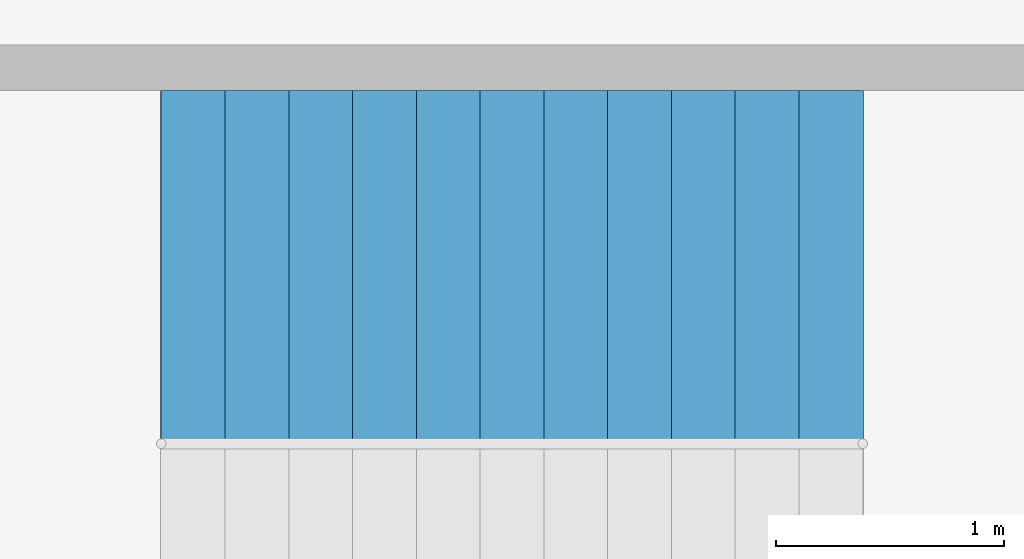
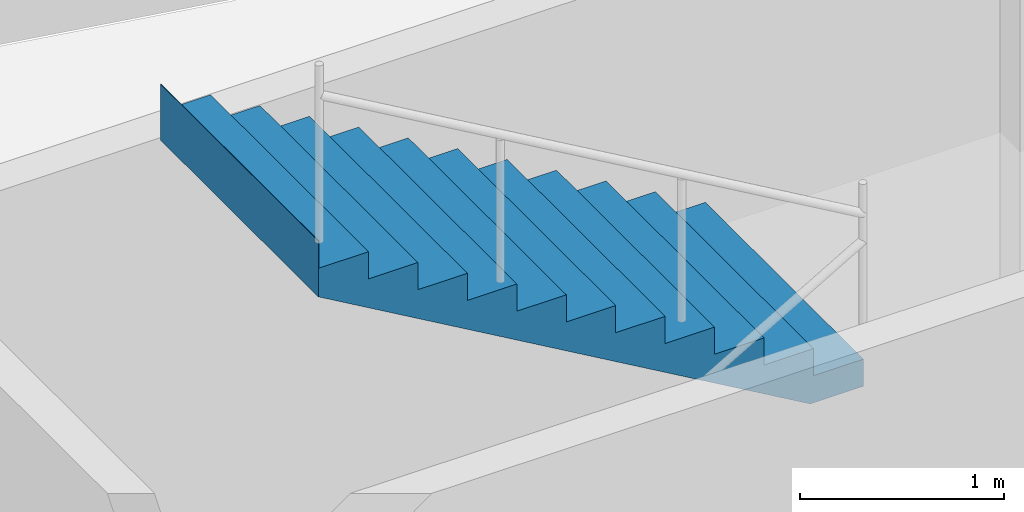
# One storey, part 7 of 9: 1 stair flight, 1 element without a shape of its own.
"""IFC4 building model written with IfcOpenShell, lengths in metres."""

import ifcopenshell
import ifcopenshell.guid

model = None  # the IFC model being written
_history = None  # IfcOwnerHistory: only IFC2X3 demands one
_inside = {}  # id of a spatial element -> (the spatial element, [elements in it])
_under = {}  # id of a project, library or spatial element -> (it, [spatial elements below it])
_declared = {}  # id of a project -> (the project, [libraries it declares])
_typed = {}  # id of a type object -> (the type object, [elements of that type])
_made_of = {}  # id of a material, layer set ... -> (it, [elements and type objects made of it])


def new_model(schema):
    """Start an empty IFC model of exactly this schema.

    Asked for "IFC4X3", IfcOpenShell would pick the latest addendum, in which some entities
    have other attributes; the version numbers below select the first issue.
    IFC2X3 requires an IfcOwnerHistory on every rooted entity: one is made here for all.
    """
    global model, _history
    if schema == "IFC4X3":
        model = ifcopenshell.file(schema_version=(4, 3, 0, 0))
    else:
        model = ifcopenshell.file(schema=schema)
    _inside.clear()
    _under.clear()
    _declared.clear()
    _typed.clear()
    _made_of.clear()
    _history = None
    if model.schema == "IFC2X3":
        org = make("IfcOrganization", Name="unknown")
        user = make(
            "IfcPersonAndOrganization",
            ThePerson=make("IfcPerson", FamilyName="unknown"),
            TheOrganization=org,
        )
        app = make(
            "IfcApplication",
            ApplicationDeveloper=org,
            Version="unknown",
            ApplicationFullName="unknown",
            ApplicationIdentifier="unknown",
        )
        _history = make(
            "IfcOwnerHistory",
            OwningUser=user,
            OwningApplication=app,
            ChangeAction="ADDED",
            CreationDate=0,
        )
    return model


def make(cls, **values):
    """One entity of the class cls with the attributes given. An attribute that is None is left unset."""
    return model.create_entity(
        cls, **{name: value for name, value in values.items() if value is not None}
    )


def rooted(cls, **values):
    """An entity with a GlobalId (a new one), such as an element, a storey or a relation."""
    return make(cls, GlobalId=ifcopenshell.guid.new(), OwnerHistory=_history, **values)


def si_unit(unit_type, name, prefix=None):
    """IfcSIUnit, for example si_unit("LENGTHUNIT", "METRE", prefix="MILLI")."""
    return make("IfcSIUnit", UnitType=unit_type, Prefix=prefix, Name=name)


def assignment(units):
    """IfcUnitAssignment: the units of a project."""
    return None if units is None else make("IfcUnitAssignment", Units=units)


def point(xyz):
    """IfcCartesianPoint."""
    return None if xyz is None else make("IfcCartesianPoint", Coordinates=xyz)


def direction(xyz):
    """IfcDirection."""
    return None if xyz is None else make("IfcDirection", DirectionRatios=xyz)


def frame(location, z_axis=None, x_axis=None):
    """IfcAxis2Placement3D, a coordinate frame: its origin and axes. An axis left out is left unset."""
    return make(
        "IfcAxis2Placement3D",
        Location=point(location),
        Axis=direction(z_axis),
        RefDirection=direction(x_axis),
    )


def origin():
    """The frame at (0, 0, 0) with its axes left unset."""
    return frame((0.0, 0.0, 0.0))


def place(relative_to, where):
    """IfcLocalPlacement: puts the frame where relative to a parent placement (None: the world)."""
    return make(
        "IfcLocalPlacement", PlacementRelTo=relative_to, RelativePlacement=where
    )


def context(
    kind, dimensions, precision=None, world=None, true_north=None, identifier=None
):
    """IfcGeometricRepresentationContext, for example the 3D "Model" context."""
    return make(
        "IfcGeometricRepresentationContext",
        ContextIdentifier=identifier,
        ContextType=kind,
        CoordinateSpaceDimension=dimensions,
        Precision=precision,
        WorldCoordinateSystem=world,
        TrueNorth=true_north,
    )


def subcontext(parent, identifier, kind, view, scale=None):
    """IfcGeometricRepresentationSubContext, for example "Body" below "Model"."""
    return make(
        "IfcGeometricRepresentationSubContext",
        ContextIdentifier=identifier,
        ContextType=kind,
        ParentContext=parent,
        TargetScale=scale,
        TargetView=view,
    )


def project(units=None, contexts=None):
    """IfcProject with its units and contexts."""
    return rooted(
        "IfcProject",
        Name="project",
        RepresentationContexts=contexts,
        UnitsInContext=assignment(units),
    )


def spatial(cls, under=None, at=None, **own):
    """A site, building, storey or space (cls), placed at a placement, below another one or the project."""
    s = rooted(cls, ObjectPlacement=at, **own)
    if under is not None:
        _under.setdefault(under.id(), (under, []))[1].append(s)
    return s


def polyline(points):
    """IfcPolyline through the points."""
    return make("IfcPolyline", Points=[point(p) for p in points])


def outline(outer, holes=None, kind="AREA"):
    """IfcArbitraryClosedProfileDef: a profile drawn as a closed curve; with holes, ...WithVoids."""
    if holes is None:
        return make("IfcArbitraryClosedProfileDef", ProfileType=kind, OuterCurve=outer)
    return make(
        "IfcArbitraryProfileDefWithVoids",
        ProfileType=kind,
        OuterCurve=outer,
        InnerCurves=holes,
    )


def extrude(swept, where, along, depth):
    """IfcExtrudedAreaSolid: the profile swept, set in the frame where, extruded along a direction by depth."""
    return make(
        "IfcExtrudedAreaSolid",
        SweptArea=swept,
        Position=where,
        ExtrudedDirection=direction(along),
        Depth=depth,
    )


def shape(context_of_items, identifier, shape_type, items):
    """IfcShapeRepresentation: the items that make up one representation, for example the "Body"."""
    return make(
        "IfcShapeRepresentation",
        ContextOfItems=context_of_items,
        RepresentationIdentifier=identifier,
        RepresentationType=shape_type,
        Items=items,
    )


def material(Name=None, Category=None):
    """IfcMaterial."""
    return make("IfcMaterial", Name=Name, Category=Category)


def made_of(thing, what):
    """Note that an element or type object is made of a material, layer set ...; save() writes the relation."""
    if what is not None:
        _made_of.setdefault(what.id(), (what, []))[1].append(thing)
    return thing


def type_object(cls, material=None, **own):
    """A type object (cls), such as IfcWallType, which elements share."""
    return made_of(rooted(cls, **own), material)


def element(
    cls,
    number,
    at=None,
    inside=None,
    cuts=None,
    type_object=None,
    material=None,
    context=None,
    identifier="Body",
    shape_type=None,
    held_by="IfcProductDefinitionShape",
    body=None,
    shapes=None,
    **own,
):
    """One element of the class cls, such as IfcWall. Its Tag is "e" and its number.

    at: its placement. inside: the storey or other place that contains it. cuts: it is an
    opening in that element (IfcRelVoidsElement). A single representation is given by context,
    identifier, shape_type and body (its items); several are given by shapes. held_by: the class
    of the entity that holds the representations. save() writes the other relations.
    """
    e = rooted(cls, Tag="e%d" % number, ObjectPlacement=at, **own)
    if body is not None:
        shapes = [shape(context, identifier, shape_type, body)]
    if shapes is not None:
        e.Representation = make(held_by, Representations=shapes)
    if inside is not None:
        _inside.setdefault(inside.id(), (inside, []))[1].append(e)
    if cuts is not None:
        rooted(
            "IfcRelVoidsElement", RelatingBuildingElement=cuts, RelatedOpeningElement=e
        )
    if type_object is not None:
        _typed.setdefault(type_object.id(), (type_object, []))[1].append(e)
    return made_of(e, material)


def aggregate(whole, parts):
    """IfcRelAggregates: a whole, such as a stair, and the parts it consists of."""
    return rooted("IfcRelAggregates", RelatingObject=whole, RelatedObjects=parts)


def save(model, path):
    """Write the relations noted so far, then the file.

    IfcRelAggregates (storeys below a building ...), IfcRelContainedInSpatialStructure (elements
    in a storey), IfcRelDefinesByType, IfcRelAssociatesMaterial and IfcRelDeclares: one each for
    every whole, place, type object, material and project.
    """
    for whole, parts in _under.values():
        aggregate(whole, parts)
    for where, things in _inside.values():
        rooted(
            "IfcRelContainedInSpatialStructure",
            RelatedElements=things,
            RelatingStructure=where,
        )
    for kind, things in _typed.values():
        rooted("IfcRelDefinesByType", RelatedObjects=things, RelatingType=kind)
    for what, things in _made_of.values():
        rooted("IfcRelAssociatesMaterial", RelatedObjects=things, RelatingMaterial=what)
    for by, libraries in _declared.values():
        rooted("IfcRelDeclares", RelatingContext=by, RelatedDefinitions=libraries)
    model.write(path)


model = new_model("IFC4")

# Units and contexts
model_context = context("Model", 3, precision=1e-05, world=origin(), true_north=direction((0.0, 1.0)))
body_context = subcontext(model_context, "Body", "Model", "MODEL_VIEW")
ifc_project = project(units=[si_unit("LENGTHUNIT", "METRE"), si_unit("AREAUNIT", "SQUARE_METRE"), si_unit("VOLUMEUNIT", "CUBIC_METRE"), si_unit("PLANEANGLEUNIT", "RADIAN"), si_unit("MASSUNIT", "GRAM", prefix="KILO")], contexts=[model_context])

# Site, building, storey
site_placement = place(None, origin())
site = spatial("IfcSite", under=ifc_project, at=site_placement, CompositionType="ELEMENT")
building_placement = place(site_placement, origin())
building = spatial("IfcBuilding", under=site, at=building_placement, Name="Qaws Garden Tower", CompositionType="ELEMENT")
storey_placement = place(building_placement, frame((0.0, 0.0, 259.199951171875)))
storey = spatial("IfcBuildingStorey", under=building, at=storey_placement, Name="L62", CompositionType="ELEMENT", Elevation=259.199951171875)

# Stair, stair flight
ifc_material_1 = material(Name="Concrete C40", Category="concrete")
stair_type = type_object("IfcStairType", Name="Exit stair 1350", PredefinedType="HALF_TURN_STAIR", material=ifc_material_1)
stair_placement = place(storey_placement, origin())
stair = element("IfcStair", 1, at=stair_placement, inside=storey, type_object=stair_type, Name="Stair 7", PredefinedType="HALF_TURN_STAIR")
ifc_material_2 = material(Name="Concrete C40", Category="concrete")
stair_flight_type = type_object("IfcStairFlightType", Name="Stair flight 1350", PredefinedType="STRAIGHT", material=ifc_material_2)
stair_flight_placement = place(storey_placement, frame((17.830078125, 68.925048828125, 1.949951171875), z_axis=(0.0, 0.0, 1.0), x_axis=(-1.0, 0.0, 0.0)))
stair_flight = element("IfcStairFlight", 2, at=stair_flight_placement, type_object=stair_flight_type, Name="ST7 flight 2", NumberOfRisers=12, NumberOfTreads=11, PredefinedType="STRAIGHT", RiserHeight=0.1625, TreadLength=0.28, context=body_context, shape_type="SweptSolid", body=[
    extrude(outline(polyline([(-0.0029296875, 0.0), (-0.0029296875, 0.16259765625), (0.0, 0.16259765625), (0.280029296875, 0.16259765625), (0.280029296875, 0.324951171875), (0.56005859375, 0.324951171875), (0.56005859375, 0.487548828125), (0.840087890625, 0.487548828125), (0.840087890625, 0.64990234375), (1.1201171875, 0.64990234375), (1.1201171875, 0.8125), (1.39990234375, 0.8125), (1.39990234375, 0.97509765625), (1.679931640625, 0.97509765625), (1.679931640625, 1.137451171875), (1.9599609375, 1.137451171875), (1.9599609375, 1.300048828125), (2.239990234375, 1.300048828125), (2.239990234375, 1.46240234375), (2.52001953125, 1.46240234375), (2.52001953125, 1.625), (2.800048828125, 1.625), (2.800048828125, 1.78759765625), (3.080078125, 1.78759765625), (3.080078125, 1.949951171875), (3.0830078125, 1.949951171875), (3.0830078125, 1.6142578125), (3.080078125, 1.6142578125), (0.298583984375, 0.0), (-0.0029296875, 0.0)])), frame((0.0, 0.77490234375, 0.0), z_axis=(0.0, -1.0, 0.0), x_axis=(1.0, 0.0, 0.0)), (0.0, 0.0, 1.0), 1.550048828125),
])
aggregate(stair, [stair_flight])

save(model, "model.ifc")
